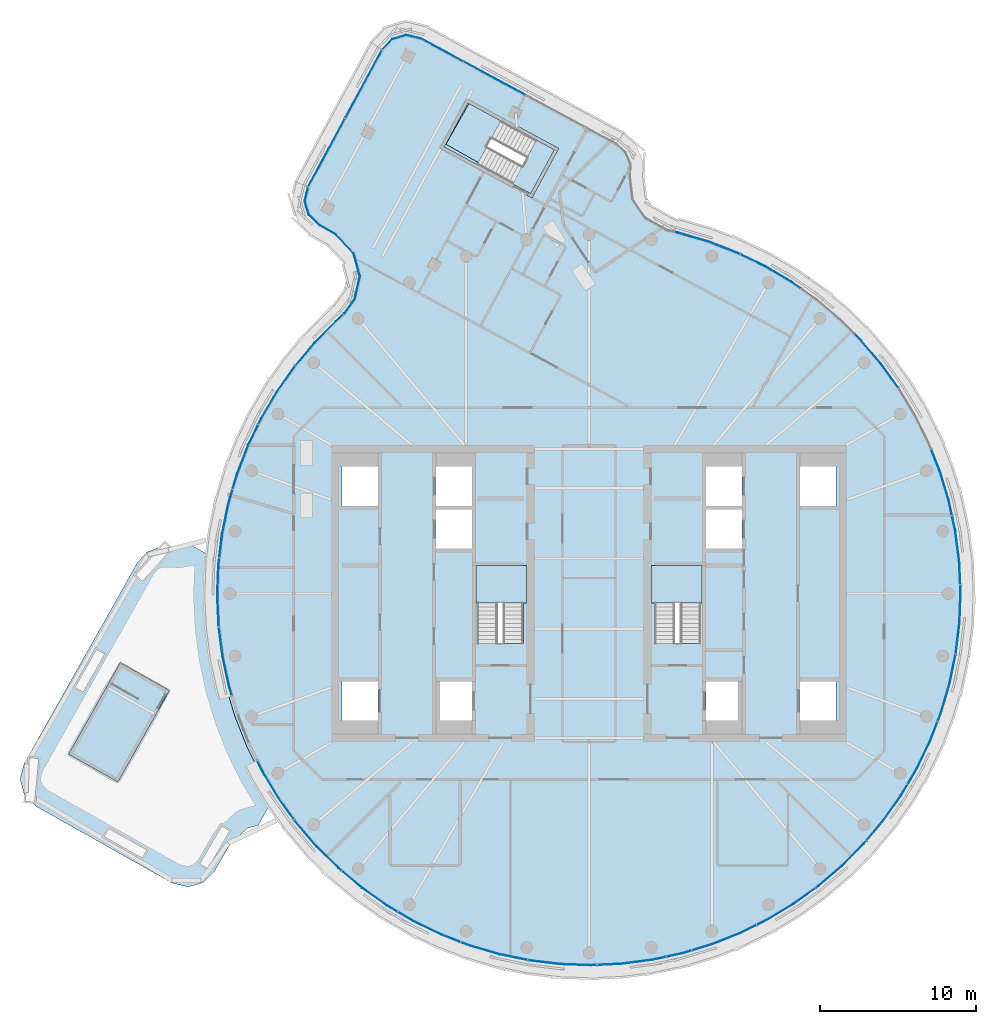
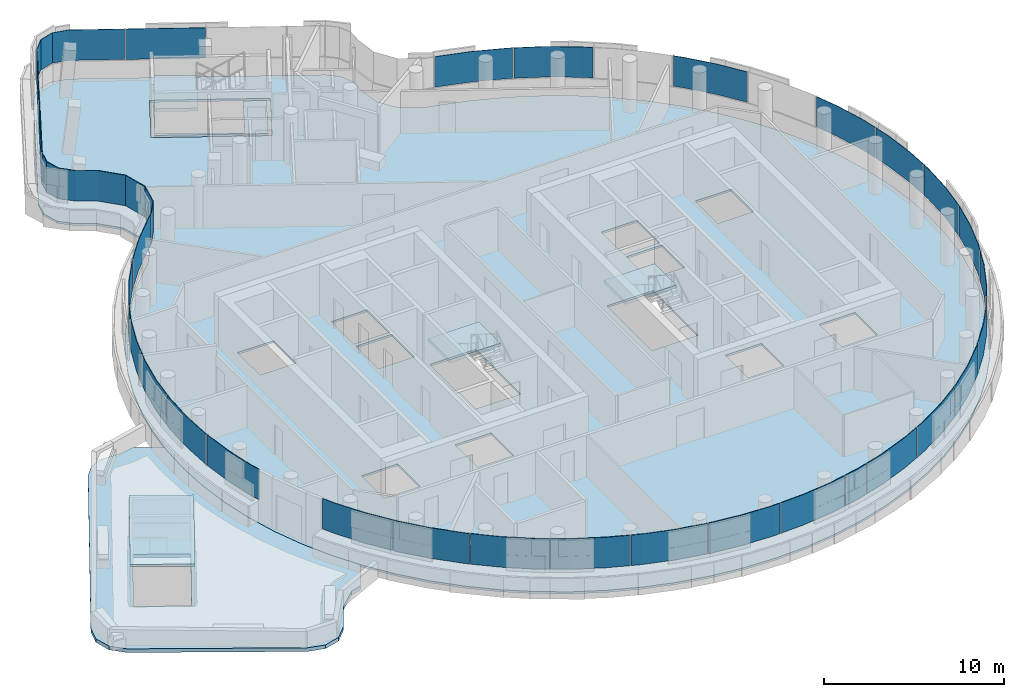
# One storey, part 12 of 22: 31 plates, 7 slabs, 6 elements without a shape of their own.
"""IFC4 building model written with IfcOpenShell, lengths in metres."""

from ifc_helpers import new_model, si_unit, direction, frame, origin, place, context, subcontext, project, spatial, polyline, outline, extrude, material, layer, layer_set, type_object, element, aggregate, save


model = new_model("IFC4")

# Units and contexts
model_context = context("Model", 3, precision=1e-05, world=origin(), true_north=direction((0.0, 1.0)))
body_context = subcontext(model_context, "Body", "Model", "MODEL_VIEW")
ifc_project = project(units=[si_unit("LENGTHUNIT", "METRE"), si_unit("AREAUNIT", "SQUARE_METRE"), si_unit("VOLUMEUNIT", "CUBIC_METRE"), si_unit("PLANEANGLEUNIT", "RADIAN"), si_unit("MASSUNIT", "GRAM", prefix="KILO")], contexts=[model_context])

# Site, building, storey
site_placement = place(None, origin())
site = spatial("IfcSite", under=ifc_project, at=site_placement, CompositionType="ELEMENT")
building_placement = place(site_placement, origin())
building = spatial("IfcBuilding", under=site, at=building_placement, Name="Tamarind Cross Interchange Tower", CompositionType="ELEMENT")
storey_placement = place(building_placement, frame((0.0, 0.0, 256.800048828125)))
storey = spatial("IfcBuildingStorey", under=building, at=storey_placement, Name="L65", CompositionType="ELEMENT", Elevation=256.800048828125)

# Slabs
ifc_material_1 = material(Name="Concrete C35", Category="concrete")
ifc_layer_1 = layer(ifc_material_1, 0.139892578125)
ifc_layer_set_1 = layer_set([ifc_layer_1], Name="Concrete C35")
slab_type_1 = type_object("IfcSlabType", Name="Composite slab 140 Concrete C35", PredefinedType="FLOOR", material=ifc_layer_set_1)
slab_1_placement = place(storey_placement, frame((0.0, 0.0, -0.14013671875)))
element("IfcSlab", 1, at=slab_1_placement, inside=storey, type_object=slab_type_1, Name="Floor slab L65", PredefinedType="FLOOR", context=body_context, shape_type="SweptSolid", body=[
    extrude(outline(polyline([(2.509765625, 28.37744140625), (1.843505859375, 28.959716796875), (-10.705810546875, 35.732666015625), (-11.712890625, 35.9716796875), (-12.704833984375, 35.67529296875), (-13.415771484375, 34.922607421875), (-18.165283203125, 26.12255859375), (-18.404541015625, 25.115234375), (-18.10791015625, 24.123291015625), (-17.355224609375, 23.41259765625), (-16.311279296875, 22.81591796875), (-15.250244140625, 21.697021484375), (-14.87646484375, 20.3271484375), (-15.185546875, 18.941162109375), (-15.816162109375, 18.067138671875), (-16.327880859375, 17.584228515625), (-17.72412109375, 16.17578125), (-18.99951171875, 14.656982421875), (-20.14501953125, 13.0380859375), (-21.15283203125, 11.329833984375), (-22.01611328125, 9.54443359375), (-22.72900390625, 7.693603515625), (-23.286865234375, 5.79052734375), (-23.685546875, 3.84765625), (-23.92236328125, 1.878662109375), (-23.99560546875, -0.103271484375), (-23.9052734375, -2.08447265625), (-23.651611328125, -4.051513671875), (-23.236083984375, -5.99072265625), (-22.662109375, -7.88916015625), (-21.93310546875, -9.7333984375), (-21.054443359375, -11.511474609375), (-20.031982421875, -13.2109375), (-18.87255859375, -14.820068359375), (-17.584228515625, -16.327880859375), (-16.17578125, -17.72412109375), (-14.656982421875, -18.99951171875), (-13.0380859375, -20.14501953125), (-11.329833984375, -21.15283203125), (-9.54443359375, -22.01611328125), (-7.693603515625, -22.72900390625), (-5.79052734375, -23.286865234375), (-3.84765625, -23.685546875), (-1.878662109375, -23.92236328125), (0.103271484375, -23.99560546875), (2.08447265625, -23.9052734375), (4.051513671875, -23.651611328125), (5.99072265625, -23.236083984375), (7.88916015625, -22.662109375), (9.7333984375, -21.93310546875), (11.511474609375, -21.054443359375), (13.2109375, -20.031982421875), (14.820068359375, -18.87255859375), (16.327880859375, -17.584228515625), (17.72412109375, -16.17578125), (18.99951171875, -14.656982421875), (20.14501953125, -13.0380859375), (21.15283203125, -11.329833984375), (22.01611328125, -9.54443359375), (22.72900390625, -7.693603515625), (23.286865234375, -5.79052734375), (23.685546875, -3.84765625), (23.92236328125, -1.878662109375), (23.99560546875, 0.103271484375), (23.9052734375, 2.08447265625), (23.651611328125, 4.051513671875), (23.236083984375, 5.99072265625), (22.662109375, 7.88916015625), (21.93310546875, 9.7333984375), (21.054443359375, 11.511474609375), (20.031982421875, 13.2109375), (18.87255859375, 14.820068359375), (17.584228515625, 16.327880859375), (16.17578125, 17.72412109375), (14.656982421875, 18.99951171875), (13.0380859375, 20.14501953125), (11.329833984375, 21.15283203125), (9.54443359375, 22.01611328125), (7.693603515625, 22.72900390625), (5.79052734375, 23.286865234375), (5.040283203125, 23.471435546875), (3.75048828125, 24.19287109375), (2.993408203125, 25.32373046875), (2.824951171875, 26.680419921875), (2.85986328125, 27.564697265625), (2.509765625, 28.37744140625)]), holes=[polyline([(-13.5, -5.625), (-13.5, -8.125), (-15.800048828125, -8.125), (-15.800048828125, -5.625), (-13.5, -5.625)]), polyline([(-7.5, -5.625), (-7.5, -8.125), (-9.800048828125, -8.125), (-9.800048828125, -5.625), (-7.5, -5.625)]), polyline([(-7.5, 5.375), (-7.5, 2.875), (-9.800048828125, 2.875), (-9.800048828125, 5.375), (-7.5, 5.375)]), polyline([(-13.5, 8.125), (-13.5, 5.625), (-15.800048828125, 5.625), (-15.800048828125, 8.125), (-13.5, 8.125)]), polyline([(-7.5, 8.125), (-7.5, 5.625), (-9.800048828125, 5.625), (-9.800048828125, 8.125), (-7.5, 8.125)]), polyline([(-3.654052734375, 25.335693359375), (-9.550048828125, 28.51806640625), (-9.455078125, 28.694091796875), (-7.935302734375, 31.510009765625), (-7.84033203125, 31.68603515625), (-7.5888671875, 31.55029296875), (-7.586181640625, 31.554931640625), (-7.333984375, 31.412841796875), (-1.944091796875, 28.50390625), (-2.039306640625, 28.327880859375), (-3.55908203125, 25.51171875), (-3.654052734375, 25.335693359375)]), polyline([(7.5, -8.125), (7.5, -5.625), (9.800048828125, -5.625), (9.800048828125, -8.125), (7.5, -8.125)]), polyline([(13.5, -8.125), (13.5, -5.625), (15.800048828125, -5.625), (15.800048828125, -8.125), (13.5, -8.125)]), polyline([(-7.14990234375, 1.800048828125), (-4.199951171875, 1.800048828125), (-4.199951171875, -3.18798828125), (-7.14990234375, -3.18798828125), (-7.14990234375, 1.800048828125)]), polyline([(4.199951171875, 1.800048828125), (7.14990234375, 1.800048828125), (7.14990234375, -3.18798828125), (4.199951171875, -3.18798828125), (4.199951171875, 1.800048828125)]), polyline([(7.5, 2.875), (7.5, 5.375), (9.800048828125, 5.375), (9.800048828125, 2.875), (7.5, 2.875)]), polyline([(7.5, 5.625), (7.5, 8.125), (9.800048828125, 8.125), (9.800048828125, 5.625), (7.5, 5.625)]), polyline([(13.5, 5.625), (13.5, 8.125), (15.800048828125, 8.125), (15.800048828125, 5.625), (13.5, 5.625)])]), origin(), (0.0, 0.0, 1.0), 0.14013671875),
])
slab_2_placement = place(storey_placement, frame((0.0, 0.0, -0.14013671875)))
element("IfcSlab", 2, at=slab_2_placement, inside=storey, type_object=slab_type_1, Name="Floor slab L65", PredefinedType="FLOOR", context=body_context, shape_type="SweptSolid", body=[
    extrude(outline(polyline([(-3.735107421875, 25.606689453125), (-2.215087890625, 28.4228515625), (-3.369873046875, 29.0458984375), (-4.8349609375, 26.33154296875), (-9.1572265625, 28.76708984375), (-7.68701171875, 31.376220703125), (-7.75927734375, 31.4150390625), (-9.279052734375, 28.59912109375), (-3.735107421875, 25.606689453125)])), origin(), (0.0, 0.0, 1.0), 0.14013671875),
])
ifc_material_2 = material(Name="Concrete C40", Category="concrete")
ifc_layer_2 = layer(ifc_material_2, 0.14990234375)
ifc_layer_set_2 = layer_set([ifc_layer_2], Name="Concrete C40")
slab_type_2 = type_object("IfcSlabType", Name="Head house roof slab 150 mm Concrete C40", PredefinedType="ROOF", material=ifc_layer_set_2)
slab_3_placement = place(storey_placement, frame((0.0, 0.0, 2.800048828125)))
element("IfcSlab", 3, at=slab_3_placement, inside=storey, type_object=slab_type_2, Name="L65 head house roof ST5", PredefinedType="ROOF", context=body_context, shape_type="SweptSolid", body=[
    extrude(outline(polyline([(-30.010986328125, -4.43896484375), (-33.30029296875, -10.27587890625), (-30.163818359375, -12.043212890625), (-26.874755859375, -6.206298828125), (-30.010986328125, -4.43896484375)])), origin(), (0.0, 0.0, 1.0), 0.14990234375),
])
ifc_layer_3 = layer(ifc_material_2, 0.25)
ifc_layer_set_3 = layer_set([ifc_layer_3], Name="Concrete C40")
slab_type_3 = type_object("IfcSlabType", Name="Roof composite slab 250 Concrete C40", PredefinedType="ROOF", material=ifc_layer_set_3)
slab_4_placement = place(storey_placement, frame((0.0, 0.0, -0.25)))
element("IfcSlab", 4, at=slab_4_placement, inside=storey, type_object=slab_type_3, Name="Garden roof slab arm W", PredefinedType="ROOF", context=body_context, shape_type="SweptSolid", body=[
    extrude(outline(polyline([(-23.92236328125, 1.878662109375), (-23.882568359375, 2.208740234375), (-25.43896484375, 3.085693359375), (-26.23388671875, 2.93212890625), (-26.923583984375, 2.949462890625), (-27.5068359375, 2.980712890625), (-28.321533203125, 2.644775390625), (-28.9130859375, 1.990966796875), (-36.172607421875, -10.891845703125), (-36.43017578125, -11.894775390625), (-36.151611328125, -12.891845703125), (-35.412109375, -13.6162109375), (-26.699951171875, -18.525390625), (-25.697265625, -18.782958984375), (-24.7001953125, -18.504638671875), (-23.975830078125, -17.764892578125), (-22.974365234375, -16.046630859375), (-21.849609375, -15.011962890625), (-21.177490234375, -14.836181640625), (-20.150634765625, -13.013671875), (-21.054443359375, -11.511474609375), (-21.93310546875, -9.733642578125), (-22.662109375, -7.88916015625), (-23.236083984375, -5.99072265625), (-23.6513671875, -4.051513671875), (-23.9052734375, -2.08447265625), (-23.995849609375, -0.103271484375), (-23.92236328125, 1.878662109375)]), holes=[polyline([(-33.02783203125, -10.199951171875), (-30.5791015625, -5.854248046875), (-27.791259765625, -7.42529296875), (-30.239990234375, -11.770751953125), (-33.02783203125, -10.199951171875)])]), origin(), (0.0, 0.0, 1.0), 0.25),
])

# Stair, slab
ifc_material_3 = material(Name="Exit stair")
stair_type = type_object("IfcStairType", Name="Exit stair", PredefinedType="HALF_TURN_STAIR", material=ifc_material_3)
stair_1_placement = place(storey_placement, origin())
stair_1 = element("IfcStair", 5, at=stair_1_placement, inside=storey, type_object=stair_type, Name="L65 exit stair ST1", PredefinedType="HALF_TURN_STAIR")
ifc_layer_4 = layer(ifc_material_2, 0.199951171875)
ifc_layer_set_4 = layer_set([ifc_layer_4], Name="Concrete C40")
slab_type_4 = type_object("IfcSlabType", Name="Stair landing", PredefinedType="LANDING", material=ifc_layer_set_4)
slab_5_placement = place(storey_placement, frame((0.0, 0.0, 1.599853515625)))
slab_5 = element("IfcSlab", 6, at=slab_5_placement, type_object=slab_type_4, Name="ST1 landing 1", PredefinedType="LANDING", context=body_context, shape_type="SweptSolid", body=[
    extrude(outline(polyline([(-4.0, -0.60009765625), (-4.0, 1.800048828125), (-7.25, 1.800048828125), (-7.25, -0.60009765625), (-4.0, -0.60009765625)])), origin(), (0.0, 0.0, 1.0), 0.2001953125),
])
aggregate(stair_1, [slab_5])

stair_2_placement = place(storey_placement, origin())
stair_2 = element("IfcStair", 7, at=stair_2_placement, inside=storey, type_object=stair_type, Name="L65 exit stair ST2", PredefinedType="HALF_TURN_STAIR")
slab_6_placement = place(storey_placement, frame((0.0, 0.0, 1.599853515625)))
slab_6 = element("IfcSlab", 8, at=slab_6_placement, type_object=slab_type_4, Name="ST2 landing 1", PredefinedType="LANDING", context=body_context, shape_type="SweptSolid", body=[
    extrude(outline(polyline([(7.25, -0.60009765625), (7.25, 1.800048828125), (4.0, 1.800048828125), (4.0, -0.60009765625), (7.25, -0.60009765625)])), origin(), (0.0, 0.0, 1.0), 0.2001953125),
])
aggregate(stair_2, [slab_6])

stair_3_placement = place(storey_placement, origin())
stair_3 = element("IfcStair", 9, at=stair_3_placement, inside=storey, type_object=stair_type, Name="L65 exit stair ST4", PredefinedType="HALF_TURN_STAIR")
slab_7_placement = place(storey_placement, frame((0.0, 0.0, 1.599853515625)))
slab_7 = element("IfcSlab", 10, at=slab_7_placement, type_object=slab_type_4, Name="ST4 landing 1", PredefinedType="LANDING", context=body_context, shape_type="SweptSolid", body=[
    extrude(outline(polyline([(-5.63671875, 30.26953125), (-7.75927734375, 31.4150390625), (-9.279052734375, 28.59912109375), (-7.156494140625, 27.453369140625), (-5.63671875, 30.26953125)])), origin(), (0.0, 0.0, 1.0), 0.2001953125),
])
aggregate(stair_3, [slab_7])

# Curtain wall, plates
ifc_material_4 = material(Name="Aluminium 6063-T6", Category="aluminium")
ifc_layer_5 = layer(ifc_material_4, 0.139892578125)
ifc_layer_set_5 = layer_set([ifc_layer_5], Name="Aluminium 6063-T6")
curtain_wall_type_1 = type_object("IfcCurtainWallType", Name="Hotel curtain wall, 4.5 m bays", PredefinedType="NOTDEFINED", material=ifc_layer_set_5)
curtain_wall_1_placement = place(storey_placement, origin())
curtain_wall_1 = element("IfcCurtainWall", 11, at=curtain_wall_1_placement, inside=storey, type_object=curtain_wall_type_1, Name="CWS-L65-00", PredefinedType="NOTDEFINED")
ifc_material_5 = material(Name="Laminated low-e glass 6+1.52+6", Category="glass")
ifc_layer_6 = layer(ifc_material_5, 0.02392578125)
ifc_layer_set_6 = layer_set([ifc_layer_6], Name="Laminated low-e glass 6+1.52+6")
plate_type_1 = type_object("IfcPlateType", Name="Vision panel CW2", PredefinedType="CURTAIN_PANEL", material=ifc_layer_set_6)
plate_1_placement = place(storey_placement, frame((0.0, 0.0, 1.39990234375)))
plate_1 = element("IfcPlate", 12, at=plate_1_placement, type_object=plate_type_1, Name="CWP-L65-00-00", PredefinedType="CURTAIN_PANEL", context=body_context, shape_type="SweptSolid", body=[
    extrude(outline(polyline([(-13.255859375, 34.772216796875), (-15.589599609375, 30.4482421875), (-15.61083984375, 30.459716796875), (-13.277099609375, 34.78369140625), (-13.255859375, 34.772216796875)])), origin(), (0.0, 0.0, 1.0), 2.06005859375),
])
plate_2_placement = place(storey_placement, frame((0.0, 0.0, 1.39990234375)))
plate_2 = element("IfcPlate", 13, at=plate_2_placement, type_object=plate_type_1, Name="CWP-L65-00-01", PredefinedType="CURTAIN_PANEL", context=body_context, shape_type="SweptSolid", body=[
    extrude(outline(polyline([(-15.6181640625, 30.3955078125), (-17.951904296875, 26.0712890625), (-17.97314453125, 26.082763671875), (-15.639404296875, 30.40673828125), (-15.6181640625, 30.3955078125)])), origin(), (0.0, 0.0, 1.0), 2.06005859375),
])
aggregate(curtain_wall_1, [plate_1, plate_2])

curtain_wall_2_placement = place(storey_placement, origin())
curtain_wall_2 = element("IfcCurtainWall", 14, at=curtain_wall_2_placement, inside=storey, type_object=curtain_wall_type_1, Name="CWS-L65-02", PredefinedType="NOTDEFINED")
plate_3_placement = place(storey_placement, frame((0.0, 0.0, 1.39990234375)))
plate_3 = element("IfcPlate", 15, at=plate_3_placement, type_object=plate_type_1, Name="CWP-L65-02-02", PredefinedType="CURTAIN_PANEL", context=body_context, shape_type="SweptSolid", body=[
    extrude(outline(polyline([(-4.106201171875, 31.9296875), (-8.0, 34.03125), (-7.988525390625, 34.052490234375), (-4.0947265625, 31.950927734375), (-4.106201171875, 31.9296875)])), origin(), (0.0, 0.0, 1.0), 2.06005859375),
])
plate_4_placement = place(storey_placement, frame((0.0, 0.0, 1.39990234375)))
plate_4 = element("IfcPlate", 16, at=plate_4_placement, type_object=plate_type_1, Name="CWP-L65-02-03", PredefinedType="CURTAIN_PANEL", context=body_context, shape_type="SweptSolid", body=[
    extrude(outline(polyline([(-8.052734375, 34.059814453125), (-10.781982421875, 35.53271484375), (-11.706787109375, 35.75244140625), (-12.58984375, 35.488525390625), (-13.222900390625, 34.81787109375), (-13.240234375, 34.83447265625), (-12.602783203125, 35.509521484375), (-11.70751953125, 35.77734375), (-10.773193359375, 35.555419921875), (-8.041259765625, 34.0810546875), (-8.052734375, 34.059814453125)])), origin(), (0.0, 0.0, 1.0), 2.06005859375),
])
aggregate(curtain_wall_2, [plate_3, plate_4])

ifc_layer_7 = layer(ifc_material_4, 0.14990234375)
ifc_layer_set_7 = layer_set([ifc_layer_7], Name="Aluminium 6063-T6")
curtain_wall_type_2 = type_object("IfcCurtainWallType", Name="Winter garden and crown curtain wall", PredefinedType="NOTDEFINED", material=ifc_layer_set_7)
curtain_wall_3_placement = place(storey_placement, origin())
curtain_wall_3 = element("IfcCurtainWall", 17, at=curtain_wall_3_placement, inside=storey, type_object=curtain_wall_type_2, Name="CWS-L65-01", PredefinedType="NOTDEFINED")
ifc_material_6 = material(Name="Laminated low-e glass 8+1.52+8", Category="glass")
ifc_layer_8 = layer(ifc_material_6, 0.030029296875)
ifc_layer_set_8 = layer_set([ifc_layer_8], Name="Laminated low-e glass 8+1.52+8")
plate_type_2 = type_object("IfcPlateType", Name="Vision panel CW6", PredefinedType="CURTAIN_PANEL", material=ifc_layer_set_8)
plate_5_placement = place(storey_placement, frame((0.0, 0.0, 1.39990234375)))
plate_5 = element("IfcPlate", 18, at=plate_5_placement, type_object=plate_type_2, Name="CWP-L65-01-00", PredefinedType="CURTAIN_PANEL", context=body_context, shape_type="SweptSolid", body=[
    extrude(outline(polyline([(-17.96923828125, 26.01806640625), (-18.181884765625, 25.12158203125), (-17.91845703125, 24.239990234375), (-17.226318359375, 23.58642578125), (-16.17724609375, 22.98681640625), (-15.05712890625, 21.8056640625), (-14.655029296875, 20.332275390625), (-14.9853515625, 18.85107421875), (-15.65380859375, 17.9248046875), (-15.697021484375, 17.884033203125), (-15.7177734375, 17.90576171875), (-15.676513671875, 17.944580078125), (-15.01318359375, 18.86376953125), (-14.685791015625, 20.33154296875), (-15.083984375, 21.79052734375), (-16.196044921875, 22.962890625), (-17.244140625, 23.562255859375), (-17.94482421875, 24.223876953125), (-18.213134765625, 25.12060546875), (-17.998291015625, 26.02490234375), (-17.96923828125, 26.01806640625)])), origin(), (0.0, 0.0, 1.0), 2.06005859375),
])
plate_6_placement = place(storey_placement, frame((0.0, 0.0, 1.39990234375)))
plate_6 = element("IfcPlate", 19, at=plate_6_placement, type_object=plate_type_2, Name="CWP-L65-01-01", PredefinedType="CURTAIN_PANEL", context=body_context, shape_type="SweptSolid", body=[
    extrude(outline(polyline([(-15.74072265625, 17.8427734375), (-16.177734375, 17.430419921875), (-17.565185546875, 16.03076171875), (-18.759765625, 14.60791015625), (-18.78271484375, 14.627197265625), (-17.58740234375, 16.051025390625), (-16.19873046875, 17.451904296875), (-15.761474609375, 17.864501953125), (-15.74072265625, 17.8427734375)])), origin(), (0.0, 0.0, 1.0), 2.06005859375),
])
plate_7_placement = place(storey_placement, frame((0.0, 0.0, 1.39990234375)))
plate_7 = element("IfcPlate", 20, at=plate_7_placement, type_object=plate_type_2, Name="CWP-L65-01-02", PredefinedType="CURTAIN_PANEL", context=body_context, shape_type="SweptSolid", body=[
    extrude(outline(polyline([(-18.79833984375, 14.56201171875), (-18.8291015625, 14.525634765625), (-19.96435546875, 12.921142578125), (-20.963134765625, 11.228271484375), (-21.147705078125, 10.84619140625), (-21.1748046875, 10.859375), (-20.989501953125, 11.242431640625), (-19.989501953125, 12.937255859375), (-18.852783203125, 14.5439453125), (-18.8212890625, 14.581298828125), (-18.79833984375, 14.56201171875)])), origin(), (0.0, 0.0, 1.0), 2.06005859375),
])
plate_8_placement = place(storey_placement, frame((0.0, 0.0, 1.39990234375)))
plate_8 = element("IfcPlate", 21, at=plate_8_placement, type_object=plate_type_2, Name="CWP-L65-01-03", PredefinedType="CURTAIN_PANEL", context=body_context, shape_type="SweptSolid", body=[
    extrude(outline(polyline([(-21.173828125, 10.792236328125), (-21.818603515625, 9.458740234375), (-22.525390625, 7.624755859375), (-22.794677734375, 6.705322265625), (-22.823486328125, 6.7138671875), (-22.5537109375, 7.63427734375), (-21.84619140625, 9.470703125), (-21.200927734375, 10.805419921875), (-21.173828125, 10.792236328125)])), origin(), (0.0, 0.0, 1.0), 2.06005859375),
])
plate_9_placement = place(storey_placement, frame((0.0, 0.0, 1.39990234375)))
plate_9 = element("IfcPlate", 22, at=plate_9_placement, type_object=plate_type_2, Name="CWP-L65-01-04", PredefinedType="CURTAIN_PANEL", context=body_context, shape_type="SweptSolid", body=[
    extrude(outline(polyline([(-22.8115234375, 6.647705078125), (-23.077880859375, 5.738525390625), (-23.47314453125, 3.813232421875), (-23.651123046875, 2.33203125), (-23.680908203125, 2.335693359375), (-23.502685546875, 3.818115234375), (-23.107177734375, 5.745849609375), (-22.84033203125, 6.65625), (-22.8115234375, 6.647705078125)])), origin(), (0.0, 0.0, 1.0), 2.06005859375),
])
plate_10_placement = place(storey_placement, frame((0.0, 0.0, 1.39990234375)))
plate_10 = element("IfcPlate", 23, at=plate_10_placement, type_object=plate_type_2, Name="CWP-L65-01-05", PredefinedType="CURTAIN_PANEL", context=body_context, shape_type="SweptSolid", body=[
    extrude(outline(polyline([(-23.658447265625, 2.2724609375), (-23.707763671875, 1.86181640625), (-23.780517578125, -0.102294921875), (-23.69091796875, -2.065673828125), (-23.683349609375, -2.12353515625), (-23.713134765625, -2.12744140625), (-23.720703125, -2.068359375), (-23.810546875, -0.1025390625), (-23.73779296875, 1.8642578125), (-23.688232421875, 2.276123046875), (-23.658447265625, 2.2724609375)])), origin(), (0.0, 0.0, 1.0), 2.06005859375),
])
plate_11_placement = place(storey_placement, frame((0.0, 0.0, 1.39990234375)))
plate_11 = element("IfcPlate", 24, at=plate_11_placement, type_object=plate_type_2, Name="CWP-L65-01-06", PredefinedType="CURTAIN_PANEL", context=body_context, shape_type="SweptSolid", body=[
    extrude(outline(polyline([(-23.67578125, -2.18310546875), (-23.439453125, -4.01513671875), (-23.02783203125, -5.93701171875), (-22.8564453125, -6.50341796875), (-22.88525390625, -6.51220703125), (-23.056884765625, -5.944580078125), (-23.468994140625, -4.020263671875), (-23.70556640625, -2.18701171875), (-23.67578125, -2.18310546875)])), origin(), (0.0, 0.0, 1.0), 2.06005859375),
])
plate_12_placement = place(storey_placement, frame((0.0, 0.0, 1.39990234375)))
plate_12 = element("IfcPlate", 25, at=plate_12_placement, type_object=plate_type_2, Name="CWP-L65-01-08", PredefinedType="CURTAIN_PANEL", context=body_context, shape_type="SweptSolid", body=[
    extrude(outline(polyline([(-21.211181640625, -10.709228515625), (-20.86572265625, -11.408203125), (-19.852294921875, -13.09228515625), (-18.88232421875, -14.438720703125), (-18.90673828125, -14.456298828125), (-19.87744140625, -13.10888671875), (-20.89208984375, -11.422607421875), (-21.238037109375, -10.722412109375), (-21.211181640625, -10.709228515625)])), origin(), (0.0, 0.0, 1.0), 2.06005859375),
])
plate_13_placement = place(storey_placement, frame((0.0, 0.0, 1.39990234375)))
plate_13 = element("IfcPlate", 26, at=plate_13_placement, type_object=plate_type_2, Name="CWP-L65-01-09", PredefinedType="CURTAIN_PANEL", context=body_context, shape_type="SweptSolid", body=[
    extrude(outline(polyline([(-18.84716796875, -14.4873046875), (-18.703369140625, -14.68701171875), (-17.426513671875, -16.181396484375), (-16.03076171875, -17.565185546875), (-15.85791015625, -17.71044921875), (-15.877197265625, -17.7333984375), (-16.051025390625, -17.58740234375), (-17.448486328125, -16.201904296875), (-18.72705078125, -14.70556640625), (-18.87158203125, -14.5048828125), (-18.84716796875, -14.4873046875)])), origin(), (0.0, 0.0, 1.0), 2.06005859375),
])
plate_14_placement = place(storey_placement, frame((0.0, 0.0, 1.39990234375)))
plate_14 = element("IfcPlate", 27, at=plate_14_placement, type_object=plate_type_2, Name="CWP-L65-01-10", PredefinedType="CURTAIN_PANEL", context=body_context, shape_type="SweptSolid", body=[
    extrude(outline(polyline([(-15.81201171875, -17.7490234375), (-14.525634765625, -18.8291015625), (-12.921142578125, -19.96435546875), (-12.26708984375, -20.35009765625), (-12.2822265625, -20.3759765625), (-12.937255859375, -19.989501953125), (-14.5439453125, -18.852783203125), (-15.831298828125, -17.77197265625), (-15.81201171875, -17.7490234375)])), origin(), (0.0, 0.0, 1.0), 2.06005859375),
])
plate_15_placement = place(storey_placement, frame((0.0, 0.0, 1.39990234375)))
plate_15 = element("IfcPlate", 28, at=plate_15_placement, type_object=plate_type_2, Name="CWP-L65-01-11", PredefinedType="CURTAIN_PANEL", context=body_context, shape_type="SweptSolid", body=[
    extrude(outline(polyline([(-12.21533203125, -20.380615234375), (-11.228271484375, -20.963134765625), (-9.458740234375, -21.818603515625), (-8.252197265625, -22.28369140625), (-8.262939453125, -22.3115234375), (-9.470703125, -21.84619140625), (-11.242431640625, -20.989501953125), (-12.23046875, -20.406494140625), (-12.21533203125, -20.380615234375)])), origin(), (0.0, 0.0, 1.0), 2.06005859375),
])
plate_16_placement = place(storey_placement, frame((0.0, 0.0, 1.39990234375)))
plate_16 = element("IfcPlate", 29, at=plate_16_placement, type_object=plate_type_2, Name="CWP-L65-01-12", PredefinedType="CURTAIN_PANEL", context=body_context, shape_type="SweptSolid", body=[
    extrude(outline(polyline([(-8.196044921875, -22.30517578125), (-7.624755859375, -22.525390625), (-5.738525390625, -23.077880859375), (-3.94921875, -23.445068359375), (-3.955078125, -23.474609375), (-5.745849609375, -23.107177734375), (-7.63427734375, -22.5537109375), (-8.20703125, -22.333251953125), (-8.196044921875, -22.30517578125)])), origin(), (0.0, 0.0, 1.0), 2.06005859375),
])
plate_17_placement = place(storey_placement, frame((0.0, 0.0, 1.39990234375)))
plate_17 = element("IfcPlate", 30, at=plate_17_placement, type_object=plate_type_2, Name="CWP-L65-01-13", PredefinedType="CURTAIN_PANEL", context=body_context, shape_type="SweptSolid", body=[
    extrude(outline(polyline([(-3.890380859375, -23.457275390625), (-3.813232421875, -23.47314453125), (-1.86181640625, -23.707763671875), (0.102294921875, -23.780517578125), (0.4951171875, -23.7626953125), (0.49658203125, -23.79248046875), (0.1025390625, -23.810546875), (-1.8642578125, -23.73779296875), (-3.818115234375, -23.502685546875), (-3.896484375, -23.486572265625), (-3.890380859375, -23.457275390625)])), origin(), (0.0, 0.0, 1.0), 2.06005859375),
])
plate_18_placement = place(storey_placement, frame((0.0, 0.0, 1.39990234375)))
plate_18 = element("IfcPlate", 31, at=plate_18_placement, type_object=plate_type_2, Name="CWP-L65-01-14", PredefinedType="CURTAIN_PANEL", context=body_context, shape_type="SweptSolid", body=[
    extrude(outline(polyline([(0.55517578125, -23.759765625), (2.065673828125, -23.69091796875), (4.01513671875, -23.439453125), (4.92138671875, -23.2451171875), (4.927734375, -23.274658203125), (4.020263671875, -23.468994140625), (2.068359375, -23.720703125), (0.556396484375, -23.789794921875), (0.55517578125, -23.759765625)])), origin(), (0.0, 0.0, 1.0), 2.06005859375),
])
plate_19_placement = place(storey_placement, frame((0.0, 0.0, 1.39990234375)))
plate_19 = element("IfcPlate", 32, at=plate_19_placement, type_object=plate_type_2, Name="CWP-L65-01-15", PredefinedType="CURTAIN_PANEL", context=body_context, shape_type="SweptSolid", body=[
    extrude(outline(polyline([(4.980224609375, -23.232666015625), (5.93701171875, -23.02783203125), (6.549072265625, -22.8427734375), (6.5576171875, -22.871337890625), (5.944580078125, -23.056884765625), (4.986572265625, -23.261962890625), (4.980224609375, -23.232666015625)])), origin(), (0.0, 0.0, 1.0), 2.06005859375),
])
plate_20_placement = place(storey_placement, frame((0.0, 0.0, 1.39990234375)))
plate_20 = element("IfcPlate", 33, at=plate_20_placement, type_object=plate_type_2, Name="CWP-L65-01-16", PredefinedType="CURTAIN_PANEL", context=body_context, shape_type="SweptSolid", body=[
    extrude(outline(polyline([(6.6064453125, -22.8251953125), (7.818359375, -22.458740234375), (9.646240234375, -21.736572265625), (10.697998046875, -21.216796875), (10.71142578125, -21.24365234375), (9.658447265625, -21.763916015625), (7.828125, -22.487060546875), (6.615234375, -22.85400390625), (6.6064453125, -22.8251953125)])), origin(), (0.0, 0.0, 1.0), 2.06005859375),
])
plate_21_placement = place(storey_placement, frame((0.0, 0.0, 1.39990234375)))
plate_21 = element("IfcPlate", 34, at=plate_21_placement, type_object=plate_type_2, Name="CWP-L65-01-17", PredefinedType="CURTAIN_PANEL", context=body_context, shape_type="SweptSolid", body=[
    extrude(outline(polyline([(10.751708984375, -21.190185546875), (11.408203125, -20.86572265625), (13.09228515625, -19.852294921875), (14.477294921875, -18.8544921875), (14.494873046875, -18.87890625), (13.10888671875, -19.87744140625), (11.422607421875, -20.89208984375), (10.76513671875, -21.217041015625), (10.751708984375, -21.190185546875)])), origin(), (0.0, 0.0, 1.0), 2.06005859375),
])
plate_22_placement = place(storey_placement, frame((0.0, 0.0, 1.39990234375)))
plate_22 = element("IfcPlate", 35, at=plate_22_placement, type_object=plate_type_2, Name="CWP-L65-01-18", PredefinedType="CURTAIN_PANEL", context=body_context, shape_type="SweptSolid", body=[
    extrude(outline(polyline([(14.526123046875, -18.8193359375), (14.68701171875, -18.703369140625), (16.181396484375, -17.426513671875), (17.565185546875, -16.03076171875), (17.740966796875, -15.821533203125), (17.763916015625, -15.8408203125), (17.58740234375, -16.051025390625), (16.201904296875, -17.448486328125), (14.70556640625, -18.72705078125), (14.54345703125, -18.84375), (14.526123046875, -18.8193359375)])), origin(), (0.0, 0.0, 1.0), 2.06005859375),
])
plate_23_placement = place(storey_placement, frame((0.0, 0.0, 1.39990234375)))
plate_23 = element("IfcPlate", 36, at=plate_23_placement, type_object=plate_type_2, Name="CWP-L65-01-19", PredefinedType="CURTAIN_PANEL", context=body_context, shape_type="SweptSolid", body=[
    extrude(outline(polyline([(17.779541015625, -15.775634765625), (18.8291015625, -14.525634765625), (19.96435546875, -12.921142578125), (20.374267578125, -12.22607421875), (20.400146484375, -12.2412109375), (19.989501953125, -12.937255859375), (18.852783203125, -14.5439453125), (17.802490234375, -15.794921875), (17.779541015625, -15.775634765625)])), origin(), (0.0, 0.0, 1.0), 2.06005859375),
])
plate_24_placement = place(storey_placement, frame((0.0, 0.0, 1.39990234375)))
plate_24 = element("IfcPlate", 37, at=plate_24_placement, type_object=plate_type_2, Name="CWP-L65-01-20", PredefinedType="CURTAIN_PANEL", context=body_context, shape_type="SweptSolid", body=[
    extrude(outline(polyline([(20.40478515625, -12.17431640625), (20.963134765625, -11.228271484375), (21.818603515625, -9.458740234375), (22.30078125, -8.207763671875), (22.32861328125, -8.218505859375), (21.84619140625, -9.470703125), (20.989501953125, -11.242431640625), (20.4306640625, -12.189453125), (20.40478515625, -12.17431640625)])), origin(), (0.0, 0.0, 1.0), 2.06005859375),
])
plate_25_placement = place(storey_placement, frame((0.0, 0.0, 1.39990234375)))
plate_25 = element("IfcPlate", 38, at=plate_25_placement, type_object=plate_type_2, Name="CWP-L65-01-21", PredefinedType="CURTAIN_PANEL", context=body_context, shape_type="SweptSolid", body=[
    extrude(outline(polyline([(22.322265625, -8.151611328125), (22.525390625, -7.624755859375), (23.077880859375, -5.738525390625), (23.454833984375, -3.90234375), (23.484130859375, -3.908447265625), (23.107177734375, -5.745849609375), (22.5537109375, -7.63427734375), (22.350341796875, -8.162353515625), (22.322265625, -8.151611328125)])), origin(), (0.0, 0.0, 1.0), 2.06005859375),
])
plate_26_placement = place(storey_placement, frame((0.0, 0.0, 1.39990234375)))
plate_26 = element("IfcPlate", 39, at=plate_26_placement, type_object=plate_type_2, Name="CWP-L65-01-22", PredefinedType="CURTAIN_PANEL", context=body_context, shape_type="SweptSolid", body=[
    extrude(outline(polyline([(23.466796875, -3.84375), (23.47314453125, -3.813232421875), (23.707763671875, -1.86181640625), (23.780517578125, 0.102294921875), (23.760498046875, 0.542724609375), (23.790283203125, 0.544189453125), (23.810546875, 0.1025390625), (23.73779296875, -1.8642578125), (23.502685546875, -3.818115234375), (23.49609375, -3.849609375), (23.466796875, -3.84375)])), origin(), (0.0, 0.0, 1.0), 2.06005859375),
])
plate_27_placement = place(storey_placement, frame((0.0, 0.0, 1.39990234375)))
plate_27 = element("IfcPlate", 40, at=plate_27_placement, type_object=plate_type_2, Name="CWP-L65-01-23", PredefinedType="CURTAIN_PANEL", context=body_context, shape_type="SweptSolid", body=[
    extrude(outline(polyline([(23.7578125, 0.602783203125), (23.69091796875, 2.065673828125), (23.439453125, 4.01513671875), (23.2353515625, 4.968017578125), (23.2646484375, 4.974365234375), (23.468994140625, 4.020263671875), (23.720703125, 2.068359375), (23.78759765625, 0.60400390625), (23.7578125, 0.602783203125)])), origin(), (0.0, 0.0, 1.0), 2.06005859375),
])
plate_28_placement = place(storey_placement, frame((0.0, 0.0, 1.39990234375)))
plate_28 = element("IfcPlate", 41, at=plate_28_placement, type_object=plate_type_2, Name="CWP-L65-01-24", PredefinedType="CURTAIN_PANEL", context=body_context, shape_type="SweptSolid", body=[
    extrude(outline(polyline([(23.22265625, 5.02685546875), (23.02783203125, 5.93701171875), (22.458740234375, 7.818359375), (21.904541015625, 9.22119140625), (21.932373046875, 9.232177734375), (22.487060546875, 7.828125), (23.056884765625, 5.944580078125), (23.251953125, 5.032958984375), (23.22265625, 5.02685546875)])), origin(), (0.0, 0.0, 1.0), 2.06005859375),
])
plate_29_placement = place(storey_placement, frame((0.0, 0.0, 1.39990234375)))
plate_29 = element("IfcPlate", 42, at=plate_29_placement, type_object=plate_type_2, Name="CWP-L65-01-26", PredefinedType="CURTAIN_PANEL", context=body_context, shape_type="SweptSolid", body=[
    extrude(outline(polyline([(19.7734375, 13.20166015625), (18.703369140625, 14.68701171875), (17.426513671875, 16.181396484375), (16.99462890625, 16.60986328125), (17.015625, 16.631103515625), (17.448486328125, 16.201904296875), (18.72705078125, 14.70556640625), (19.7978515625, 13.21923828125), (19.7734375, 13.20166015625)])), origin(), (0.0, 0.0, 1.0), 2.06005859375),
])
plate_30_placement = place(storey_placement, frame((0.0, 0.0, 1.39990234375)))
plate_30 = element("IfcPlate", 43, at=plate_30_placement, type_object=plate_type_2, Name="CWP-L65-01-28", PredefinedType="CURTAIN_PANEL", context=body_context, shape_type="SweptSolid", body=[
    extrude(outline(polyline([(13.544189453125, 19.5234375), (12.921142578125, 19.96435546875), (11.228271484375, 20.963134765625), (9.719482421875, 21.692626953125), (9.732666015625, 21.7197265625), (11.242431640625, 20.989501953125), (12.937255859375, 19.989501953125), (13.5615234375, 19.5478515625), (13.544189453125, 19.5234375)])), origin(), (0.0, 0.0, 1.0), 2.06005859375),
])
plate_31_placement = place(storey_placement, frame((0.0, 0.0, 1.39990234375)))
plate_31 = element("IfcPlate", 44, at=plate_31_placement, type_object=plate_type_2, Name="CWP-L65-01-29", PredefinedType="CURTAIN_PANEL", context=body_context, shape_type="SweptSolid", body=[
    extrude(outline(polyline([(9.66552734375, 21.71875), (9.458740234375, 21.818603515625), (7.624755859375, 22.525390625), (5.734619140625, 23.0791015625), (5.488525390625, 23.1396484375), (5.495849609375, 23.1689453125), (5.742431640625, 23.108154296875), (7.63427734375, 22.5537109375), (9.470703125, 21.84619140625), (9.6787109375, 21.745849609375), (9.66552734375, 21.71875)])), origin(), (0.0, 0.0, 1.0), 2.06005859375),
])
aggregate(curtain_wall_3, [plate_5, plate_6, plate_7, plate_8, plate_9, plate_10, plate_11, plate_12, plate_13, plate_14, plate_15, plate_16, plate_17, plate_18, plate_19, plate_20, plate_21, plate_22, plate_23, plate_24, plate_25, plate_26, plate_27, plate_28, plate_29, plate_30, plate_31])

save(model, "model.ifc")
